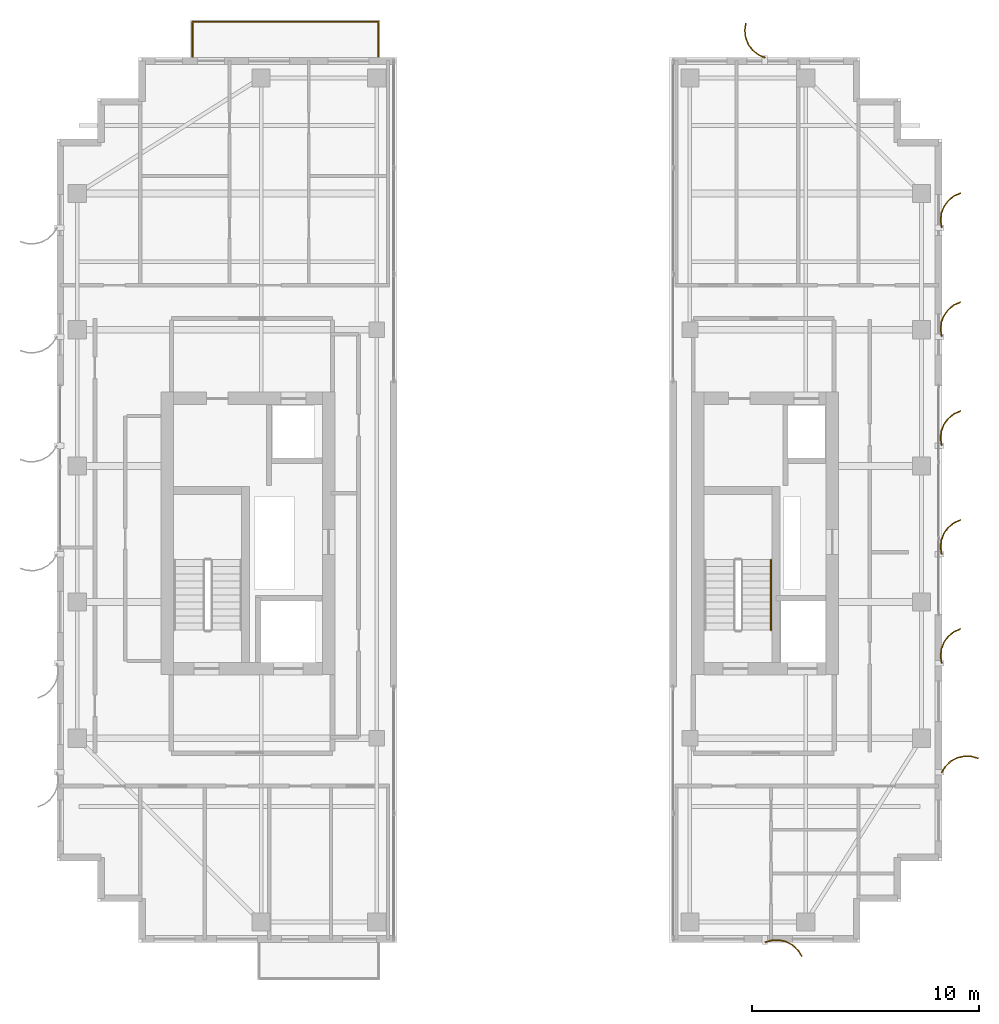
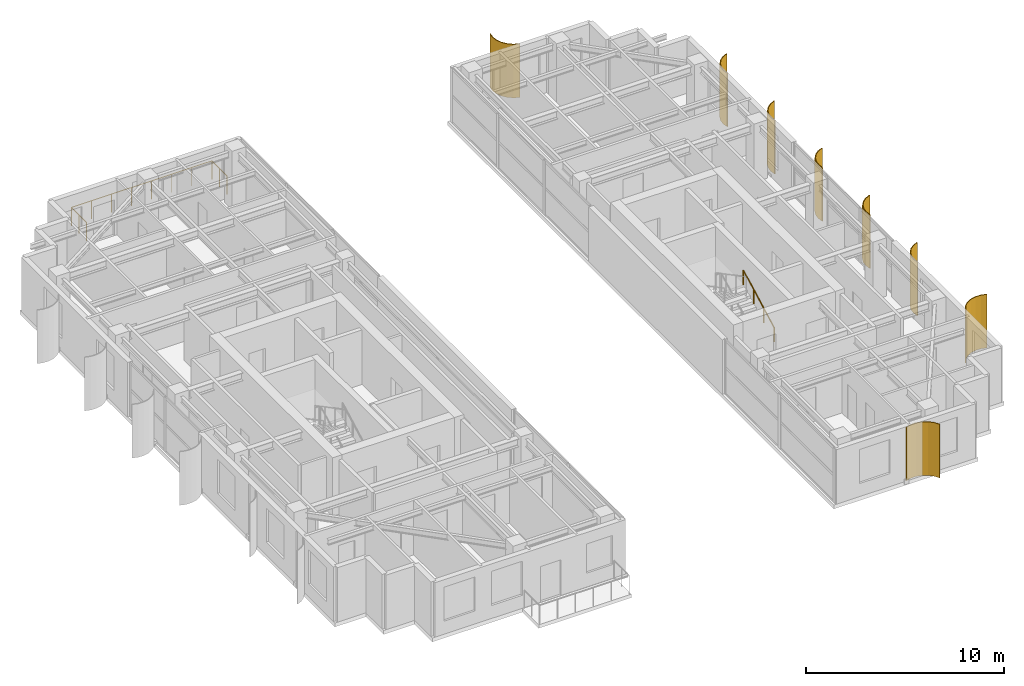
# One storey, part 23 of 23: 8 shading devices, 2 railings.
"""IFC4 building model written with IfcOpenShell, lengths in metres."""

from ifc_helpers import new_model, si_unit, direction, frame, origin, origin_2d, place, context, subcontext, project, spatial, polyline, circle, outline, extrude, source, transform, mapped, material, layer, layer_set, type_object, element, save


model = new_model("IFC4")

# Units and contexts
model_context = context("Model", 3, precision=1e-05, world=origin(), true_north=direction((0.0, 1.0)))
body_context = subcontext(model_context, "Body", "Model", "MODEL_VIEW")
ifc_project = project(units=[si_unit("LENGTHUNIT", "METRE"), si_unit("AREAUNIT", "SQUARE_METRE"), si_unit("VOLUMEUNIT", "CUBIC_METRE"), si_unit("PLANEANGLEUNIT", "RADIAN"), si_unit("MASSUNIT", "GRAM", prefix="KILO")], contexts=[model_context])

# Site, building, storey
site_placement = place(None, origin())
site = spatial("IfcSite", under=ifc_project, at=site_placement, CompositionType="ELEMENT")
building_placement = place(site_placement, origin())
building = spatial("IfcBuilding", under=site, at=building_placement, Name="Khoralis Quay Care Tower", CompositionType="ELEMENT")
storey_placement = place(building_placement, frame((0.0, 0.0, 245.699951171875)))
storey = spatial("IfcBuildingStorey", under=building, at=storey_placement, Name="L64", CompositionType="ELEMENT", Elevation=245.699951171875)

# Railings
ifc_material_1 = material(Name="Pale anodised aluminium", Category="aluminium")
railing_type_1 = type_object("IfcRailingType", Name="RL-BALUST-1150", PredefinedType="BALUSTRADE", material=ifc_material_1)
railing_1_placement = place(storey_placement, frame((8.97998046875, 42.0400390625, -0.02001953125)))
element("IfcRailing", 1, at=railing_1_placement, inside=storey, type_object=railing_type_1, Name="L64 Senior Loggia Balcony Guard", PredefinedType="BALUSTRADE", context=body_context, shape_type="SweptSolid", body=[
    extrude(circle(Radius=0.02392578125, at=origin_2d()), frame((0.0, 0.0, 1.1259765625), z_axis=(0.0, 1.0, 0.0), x_axis=(-1.0, 0.0, 0.0)), (0.0, 0.0, 1.0), 1.530029296875),
    extrude(circle(Radius=0.02392578125, at=origin_2d()), frame((0.0, 1.530029296875, 1.1259765625), z_axis=(1.0, 0.0, 0.0), x_axis=(0.0, 1.0, 0.0)), (0.0, 0.0, 1.0), 8.18994140625),
    extrude(circle(Radius=0.02392578125, at=origin_2d()), frame((8.18994140625, 1.530029296875, 1.1259765625), z_axis=(0.0, -1.0, 0.0), x_axis=(1.0, 0.0, 0.0)), (0.0, 0.0, 1.0), 1.530029296875),
    extrude(circle(Radius=0.02099609375, at=origin_2d()), origin(), (0.0, 0.0, 1.0), 1.101806640625),
    extrude(circle(Radius=0.02099609375, at=origin_2d()), frame((0.0, 0.76513671875, 0.0)), (0.0, 0.0, 1.0), 1.101806640625),
    extrude(circle(Radius=0.02099609375, at=origin_2d()), frame((0.0, 1.530029296875, 0.0)), (0.0, 0.0, 1.0), 1.101806640625),
    extrude(circle(Radius=0.02099609375, at=origin_2d()), frame((1.169921875, 1.530029296875, 0.0)), (0.0, 0.0, 1.0), 1.101806640625),
    extrude(circle(Radius=0.02099609375, at=origin_2d()), frame((2.340087890625, 1.530029296875, 0.0)), (0.0, 0.0, 1.0), 1.101806640625),
    extrude(circle(Radius=0.02099609375, at=origin_2d()), frame((3.510009765625, 1.530029296875, 0.0)), (0.0, 0.0, 1.0), 1.101806640625),
    extrude(circle(Radius=0.02099609375, at=origin_2d()), frame((4.679931640625, 1.530029296875, 0.0)), (0.0, 0.0, 1.0), 1.101806640625),
    extrude(circle(Radius=0.02099609375, at=origin_2d()), frame((5.849853515625, 1.530029296875, 0.0)), (0.0, 0.0, 1.0), 1.101806640625),
    extrude(circle(Radius=0.02099609375, at=origin_2d()), frame((7.02001953125, 1.530029296875, 0.0)), (0.0, 0.0, 1.0), 1.101806640625),
    extrude(circle(Radius=0.02099609375, at=origin_2d()), frame((8.18994140625, 1.530029296875, 0.0)), (0.0, 0.0, 1.0), 1.101806640625),
    extrude(circle(Radius=0.02099609375, at=origin_2d()), frame((8.18994140625, 0.76513671875, 0.0)), (0.0, 0.0, 1.0), 1.101806640625),
    extrude(circle(Radius=0.02099609375, at=origin_2d()), frame((8.18994140625, 0.0, 0.0)), (0.0, 0.0, 1.0), 1.101806640625),
])
ifc_material_2 = material(Name="Brushed stainless steel", Category="steel")
railing_type_2 = type_object("IfcRailingType", Name="RL-HAND-900", PredefinedType="HANDRAIL", material=ifc_material_2)
railing_2_placement = place(storey_placement, frame((34.469970703125, 16.77001953125, 0.16357421875)))
element("IfcRailing", 2, at=railing_2_placement, inside=storey, type_object=railing_type_2, Name="L64 ST-T2 stair handrail 1", PredefinedType="HANDRAIL", context=body_context, shape_type="SweptSolid", body=[
    extrude(circle(Radius=0.02392578125, at=origin_2d()), frame((0.0, 0.0, 0.8759765625), z_axis=(0.0, 0.884348015382, 0.466828220752), x_axis=(-1.0, 0.0, 0.0)), (0.0, 0.0, 1.0), 3.505615234375),
    extrude(circle(Radius=0.02099609375, at=origin_2d()), origin(), (0.0, 0.0, 1.0), 0.851806640625),
    extrude(circle(Radius=0.02099609375, at=origin_2d()), frame((0.0, 1.033447265625, 0.54541015625)), (0.0, 0.0, 1.0), 0.851806640625),
    extrude(circle(Radius=0.02099609375, at=origin_2d()), frame((0.0, 2.066650390625, 1.091064453125)), (0.0, 0.0, 1.0), 0.851806640625),
    extrude(circle(Radius=0.02099609375, at=origin_2d()), frame((0.0, 3.10009765625, 1.636474609375)), (0.0, 0.0, 1.0), 0.851806640625),
])

# Shading devices
ifc_material_3 = material(Name="Brushed pale anodised aluminium", Category="aluminium")
ifc_layer = layer(ifc_material_3, 0.044921875)
ifc_layer_set = layer_set([ifc_layer], Name="Brushed pale anodised aluminium")
shading_device_type = type_object("IfcShadingDeviceType", Name="SHD-FIN-1250", PredefinedType="USERDEFINED", material=ifc_layer_set)
shared_shape_1 = source(origin(), body_context, "Body", "SweptSolid", [
    extrude(outline(polyline([(0.0, 0.0), (0.130126953125, 0.29931640625), (0.333251953125, 0.5546875), (0.595458984375, 0.748779296875), (0.899169921875, 0.868408203125), (1.223388671875, 0.9052734375), (1.546142578125, 0.85693359375), (1.53369140625, 0.813720703125), (1.22265625, 0.8603515625), (0.91015625, 0.82470703125), (0.617431640625, 0.70947265625), (0.364501953125, 0.522216796875), (0.168701171875, 0.276123046875), (0.043212890625, -0.012451171875), (0.0, 0.0)])), origin(), (0.0, 0.0, 1.0), 3.300048828125),
])
shading_device_1_placement = place(storey_placement, frame((34.199951171875, 41.969970703125, 0.02001953125), z_axis=(0.0, 0.0, 1.0), x_axis=(0.0, 1.0, 0.0)))
element("IfcShadingDevice", 3, at=shading_device_1_placement, inside=storey, type_object=shading_device_type, Name="L64 Curved Solar Fin P2E10-01", ObjectType="FIN", PredefinedType="USERDEFINED", context=body_context, shape_type="MappedRepresentation", body=[
    mapped(shared_shape_1, transform((0.0, 0.0, 0.0), scale=1.0)),
])
shared_shape_2 = source(origin(), body_context, "Body", "SweptSolid", [
    extrude(outline(polyline([(0.0, 0.0), (0.17041015625, 0.2783203125), (0.4072265625, 0.5029296875), (0.694091796875, 0.658447265625), (1.01123046875, 0.734619140625), (1.33740234375, 0.72607421875), (1.650390625, 0.633544921875), (1.632080078125, 0.59228515625), (1.330322265625, 0.681640625), (1.015869140625, 0.68994140625), (0.710205078125, 0.616455078125), (0.43359375, 0.466552734375), (0.20556640625, 0.25), (0.041015625, -0.018310546875), (0.0, 0.0)])), origin(), (0.0, 0.0, 1.0), 3.300048828125),
])
shading_device_2_placement = place(storey_placement, frame((41.969970703125, 10.5, 0.02001953125), z_axis=(0.0, 0.0, 1.0), x_axis=(1.0, 0.0, 0.0)))
element("IfcShadingDevice", 4, at=shading_device_2_placement, inside=storey, type_object=shading_device_type, Name="L64 Curved Solar Fin P2E5-01", ObjectType="FIN", PredefinedType="USERDEFINED", context=body_context, shape_type="MappedRepresentation", body=[
    mapped(shared_shape_2, transform((0.0, 0.0, 0.0), scale=1.0)),
])
shared_shape_3 = source(origin(), body_context, "Body", "SweptSolid", [
    extrude(outline(polyline([(0.0, 0.0), (-0.04833984375, 0.32275390625), (-0.01123046875, 0.64697265625), (0.1083984375, 0.950439453125), (0.302490234375, 1.212890625), (0.557861328125, 1.416015625), (0.85693359375, 1.546142578125), (0.869384765625, 1.5029296875), (0.5810546875, 1.37744140625), (0.334716796875, 1.181640625), (0.147705078125, 0.9287109375), (0.032470703125, 0.635986328125), (-0.003173828125, 0.323486328125), (0.043212890625, 0.012451171875), (0.0, 0.0)])), origin(), (0.0, 0.0, 1.0), 3.300048828125),
])
for number, where, z_axis, x_axis, name in (
    (5, (41.969970703125, 15.300048828125, 0.02001953125), (0.0, 0.0, 1.0), (1.0, 0.0, 0.0), "L64 Curved Solar Fin P2E5-02"),
    (6, (41.969970703125, 20.10009765625, 0.02001953125), (0.0, 0.0, 1.0), (1.0, 0.0, 0.0), "L64 Curved Solar Fin P2E5-03"),
    (7, (41.969970703125, 24.89990234375, 0.02001953125), (0.0, 0.0, 1.0), (1.0, 0.0, 0.0), "L64 Curved Solar Fin P2E5-04"),
    (8, (41.969970703125, 29.699951171875, 0.02001953125), (0.0, 0.0, 1.0), (1.0, 0.0, 0.0), "L64 Curved Solar Fin P2E5-05"),
    (9, (41.969970703125, 34.5, 0.02001953125), (0.0, 0.0, 1.0), (1.0, 0.0, 0.0), "L64 Curved Solar Fin P2E5-06"),
):
    element("IfcShadingDevice", number, at=place(storey_placement, frame(where, z_axis=z_axis, x_axis=x_axis)), inside=storey, type_object=shading_device_type, Name=name, ObjectType="FIN", PredefinedType="USERDEFINED", context=body_context, shape_type="MappedRepresentation", body=[
        mapped(shared_shape_3, transform((0.0, 0.0, 0.0), scale=1.0)),
    ])
shared_shape_4 = source(origin(), body_context, "Body", "SweptSolid", [
    extrude(outline(polyline([(0.0, 0.0), (-0.0927734375, 0.31298828125), (-0.101318359375, 0.63916015625), (-0.025146484375, 0.956298828125), (0.130615234375, 1.2431640625), (0.355224609375, 1.479736328125), (0.633544921875, 1.650390625), (0.65185546875, 1.609130859375), (0.383544921875, 1.44482421875), (0.1669921875, 1.216796875), (0.01708984375, 0.940185546875), (-0.056396484375, 0.63427734375), (-0.04833984375, 0.31982421875), (0.041015625, 0.018310546875), (0.0, 0.0)])), origin(), (0.0, 0.0, 1.0), 3.300048828125),
])
shading_device_3_placement = place(storey_placement, frame((34.199951171875, 3.030029296875, 0.02001953125), z_axis=(0.0, 0.0, 1.0), x_axis=(0.0, -1.0, 0.0)))
element("IfcShadingDevice", 10, at=shading_device_3_placement, inside=storey, type_object=shading_device_type, Name="L64 Curved Solar Fin P2E0-01", ObjectType="FIN", PredefinedType="USERDEFINED", context=body_context, shape_type="MappedRepresentation", body=[
    mapped(shared_shape_4, transform((0.0, 0.0, 0.0), scale=1.0)),
])

save(model, "model.ifc")
